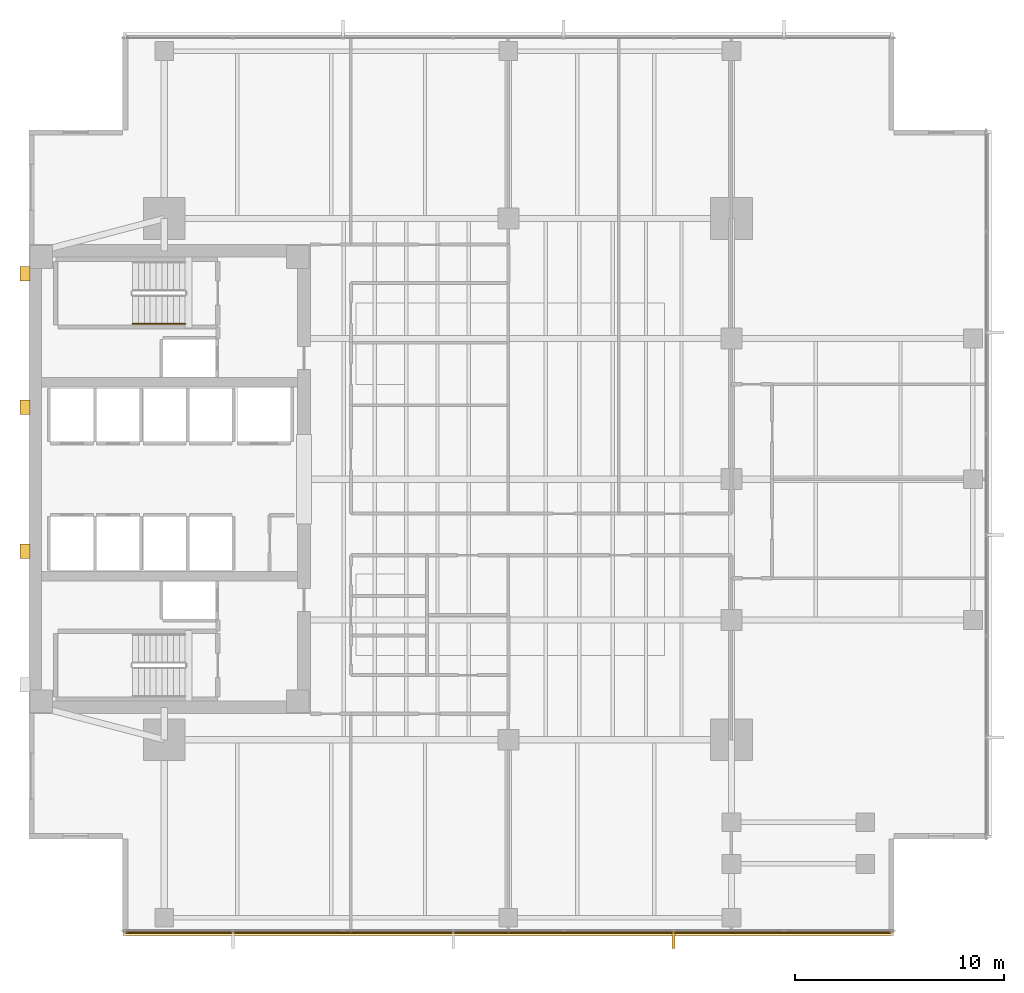
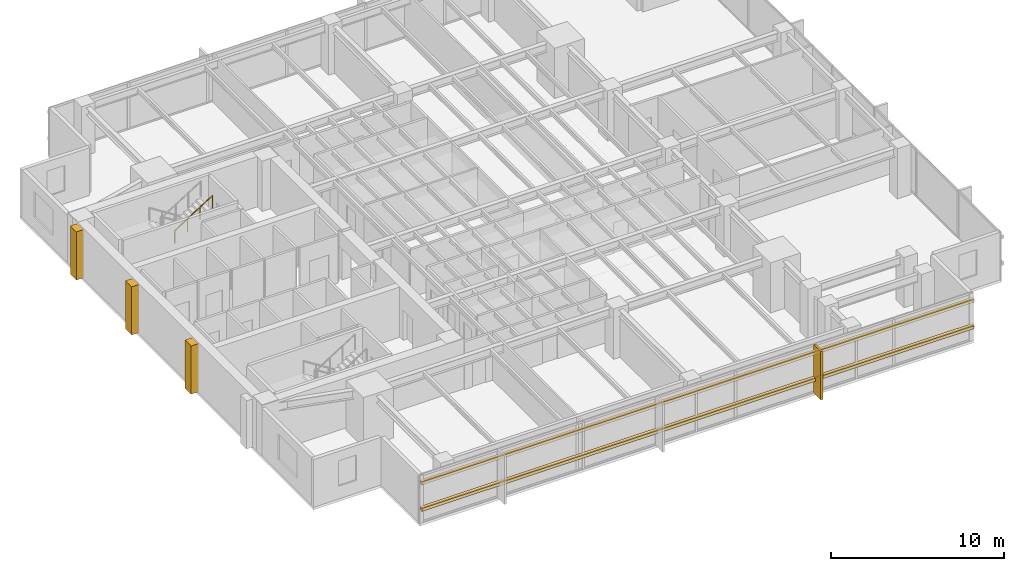
# One storey, part 12 of 14: 6 coverings, 2 shading devices, 1 railing.
"""IFC4 building model written with IfcOpenShell, lengths in metres."""

from ifc_helpers import new_model, si_unit, direction, frame, origin, origin_2d, place, context, subcontext, project, spatial, polyline, rectangle, circle, outline, extrude, material, layer, layer_set, material_profile, profile_set, type_object, element, save


model = new_model("IFC4")

# Units and contexts
model_context = context("Model", 3, precision=1e-05, world=origin(), true_north=direction((0.0, 1.0)))
body_context = subcontext(model_context, "Body", "Model", "MODEL_VIEW")
ifc_project = project(units=[si_unit("LENGTHUNIT", "METRE"), si_unit("AREAUNIT", "SQUARE_METRE"), si_unit("VOLUMEUNIT", "CUBIC_METRE"), si_unit("PLANEANGLEUNIT", "RADIAN"), si_unit("MASSUNIT", "GRAM", prefix="KILO")], contexts=[model_context])

# Site, building, storey
site_placement = place(None, origin())
site = spatial("IfcSite", under=ifc_project, at=site_placement, CompositionType="ELEMENT")
building_placement = place(site_placement, origin())
building = spatial("IfcBuilding", under=site, at=building_placement, Name="Kinhvarn Gate Tower", CompositionType="ELEMENT")
storey_placement = place(building_placement, frame((0.0, 0.0, 166.14990234375)))
storey = spatial("IfcBuildingStorey", under=building, at=storey_placement, Name="L44", CompositionType="ELEMENT", Elevation=166.14990234375)

# Coverings
ifc_material_1 = material(Name="Fired architectural terracotta", Category="masonry")
ifc_layer_1 = layer(ifc_material_1, 0.239990234375)
ifc_layer_set_1 = layer_set([ifc_layer_1], Name="Fired architectural terracotta")
covering_type_1 = type_object("IfcCoveringType", Name="COV-BAG-220", PredefinedType="CLADDING", material=ifc_layer_set_1)
for number, where, name in (
    (1, (0.0, 0.0, 0.940185546875), "Terracotta Horizontal Sunscreen Band TBG-220 (L44)"),
    (2, (0.0, 0.0, 2.81005859375), "Terracotta Horizontal Sunscreen Band TBG-220 (L44)"),
):
    element("IfcCovering", number, at=place(storey_placement, frame(where)), inside=storey, type_object=covering_type_1, Name=name, PredefinedType="CLADDING", context=body_context, shape_type="SweptSolid", body=[
        extrude(outline(polyline([(9.0400390625, 3.570068359375), (45.9599609375, 3.570068359375), (45.9599609375, 3.330078125), (9.0400390625, 3.330078125), (9.0400390625, 3.570068359375)])), origin(), (0.0, 0.0, 1.0), 0.219970703125),
    ])
ifc_layer_2 = layer(ifc_material_1, 0.139892578125)
ifc_layer_set_2 = layer_set([ifc_layer_2], Name="Fired architectural terracotta")
covering_type_2 = type_object("IfcCoveringType", Name="COV-FIN-850", PredefinedType="CLADDING", material=ifc_layer_set_2)
covering_1_placement = place(storey_placement, frame((0.0, 0.0, -0.02001953125)))
element("IfcCovering", 3, at=covering_1_placement, inside=storey, type_object=covering_type_2, Name="Vertical Terracotta Expressive Fin TFN-850 (L44)", PredefinedType="CLADDING", context=body_context, shape_type="SweptSolid", body=[
    extrude(outline(polyline([(35.358642578125, 3.580078125), (35.49853515625, 3.580078125), (35.49853515625, 2.72998046875), (35.358642578125, 2.72998046875), (35.358642578125, 3.580078125)])), origin(), (0.0, 0.0, 1.0), 3.41015625),
])
ifc_material_2 = material(Name="Precast white architectural concrete C40/50", Category="concrete")
ifc_layer_3 = layer(ifc_material_2, 0.47998046875)
ifc_layer_set_3 = layer_set([ifc_layer_3], Name="Precast white architectural concrete C40/50")
covering_type_3 = type_object("IfcCoveringType", Name="COV-RIB-450", PredefinedType="CLADDING", material=ifc_layer_set_3)
covering_2_placement = place(storey_placement, frame((0.0, 0.0, -0.02001953125)))
element("IfcCovering", 4, at=covering_2_placement, inside=storey, type_object=covering_type_3, Name="West Core Sculptural Concrete Relief Rib CRB-450 (L44)", PredefinedType="CLADDING", context=body_context, shape_type="SweptSolid", body=[
    extrude(outline(polyline([(4.080078125, 21.449951171875), (4.56005859375, 21.449951171875), (4.56005859375, 22.14990234375), (4.080078125, 22.14990234375), (4.080078125, 21.449951171875)])), origin(), (0.0, 0.0, 1.0), 3.41015625),
])
covering_3_placement = place(storey_placement, frame((0.0, 0.0, -0.02001953125)))
element("IfcCovering", 5, at=covering_3_placement, inside=storey, type_object=covering_type_3, Name="West Core Sculptural Concrete Relief Rib CRB-450 (L44)", PredefinedType="CLADDING", context=body_context, shape_type="SweptSolid", body=[
    extrude(outline(polyline([(4.080078125, 28.35009765625), (4.56005859375, 28.35009765625), (4.56005859375, 29.050048828125), (4.080078125, 29.050048828125), (4.080078125, 28.35009765625)])), origin(), (0.0, 0.0, 1.0), 3.41015625),
])
covering_4_placement = place(storey_placement, frame((0.0, 0.0, -0.02001953125)))
element("IfcCovering", 6, at=covering_4_placement, inside=storey, type_object=covering_type_3, Name="West Core Sculptural Concrete Relief Rib CRB-450 (L44)", PredefinedType="CLADDING", context=body_context, shape_type="SweptSolid", body=[
    extrude(outline(polyline([(4.080078125, 34.75), (4.56005859375, 34.75), (4.56005859375, 35.449951171875), (4.080078125, 35.449951171875), (4.080078125, 34.75)])), origin(), (0.0, 0.0, 1.0), 3.41015625),
])

# Railing
ifc_material_3 = material(Name="Steel S355", Category="steel")
railing_type = type_object("IfcRailingType", Name="RL-ST-HND", PredefinedType="HANDRAIL", material=ifc_material_3)
railing_placement = place(storey_placement, frame((9.47998046875, 32.699951171875, 1.95263671875)))
element("IfcRailing", 7, at=railing_placement, inside=storey, type_object=railing_type, Name="L44 ST2 stair handrail 2", PredefinedType="HANDRAIL", context=body_context, shape_type="SweptSolid", body=[
    extrude(circle(Radius=0.02392578125, at=origin_2d()), frame((0.0, 0.0, 0.8759765625), z_axis=(0.84460694969, 0.0, 0.535386869969), x_axis=(0.0, 1.0, 0.0)), (0.0, 0.0, 1.0), 2.983642578125),
    extrude(circle(Radius=0.02099609375, at=origin_2d()), origin(), (0.0, 0.0, 1.0), 0.851806640625),
    extrude(circle(Radius=0.02099609375, at=origin_2d()), frame((0.840087890625, 0.0, 0.532470703125)), (0.0, 0.0, 1.0), 0.851806640625),
    extrude(circle(Radius=0.02099609375, at=origin_2d()), frame((1.679931640625, 0.0, 1.06494140625)), (0.0, 0.0, 1.0), 0.851806640625),
    extrude(circle(Radius=0.02099609375, at=origin_2d()), frame((2.52001953125, 0.0, 1.597412109375)), (0.0, 0.0, 1.0), 0.851806640625),
])

# Shading devices
ifc_material_profile = material_profile(ifc_material_1, rectangle(XDim=0.050048828125, YDim=0.1201171875, at=origin_2d()), Name="TC 50x120")
ifc_profile_set = profile_set([ifc_material_profile], Name="Fired architectural terracotta")
shading_device_type = type_object("IfcShadingDeviceType", Name="SHD-BAG-140", PredefinedType="USERDEFINED", material=ifc_profile_set)
for number, where, z_axis, x_axis, name in (
    (8, (9.0400390625, 3.5, 1.050048828125), (1.0, 0.0, 0.0), (0.0, 1.0, 0.0), "Upper Tower Terracotta Baguette Screen Rod 50x120 mm (L44)"),
    (9, (9.0400390625, 3.5, 2.920166015625), (1.0, 0.0, 0.0), (0.0, 1.0, 0.0), "Upper Tower Terracotta Baguette Screen Rod 50x120 mm (L44)"),
):
    element("IfcShadingDevice", number, at=place(storey_placement, frame(where, z_axis=z_axis, x_axis=x_axis)), inside=storey, type_object=shading_device_type, Name=name, ObjectType="BAGUETTE", PredefinedType="USERDEFINED", context=body_context, shape_type="SweptSolid", body=[
        extrude(rectangle(XDim=0.050048828125, YDim=0.1201171875, at=origin_2d()), origin(), (0.0, 0.0, 1.0), 36.919921875),
    ])

save(model, "model.ifc")
